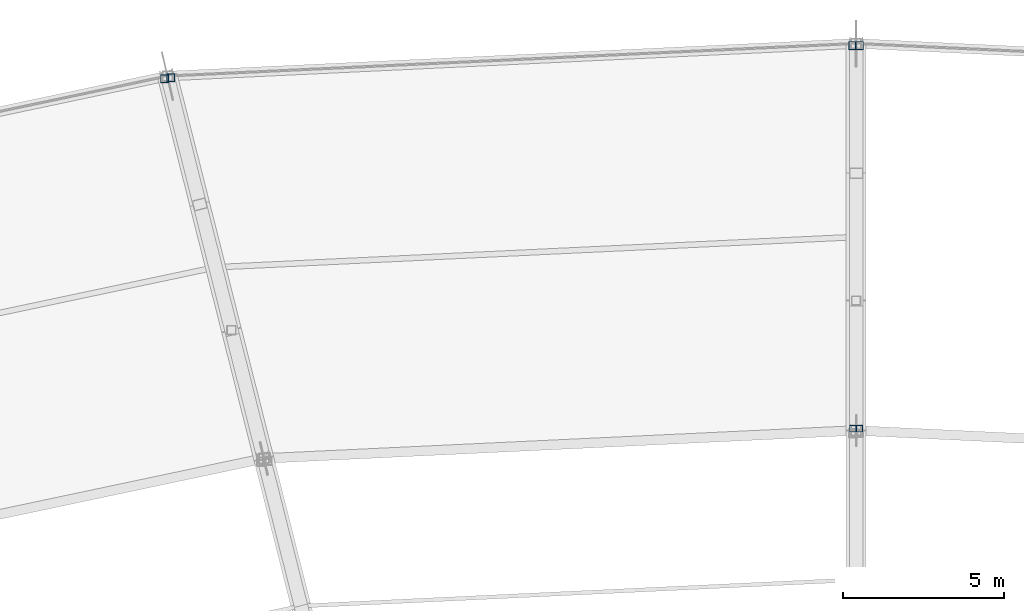
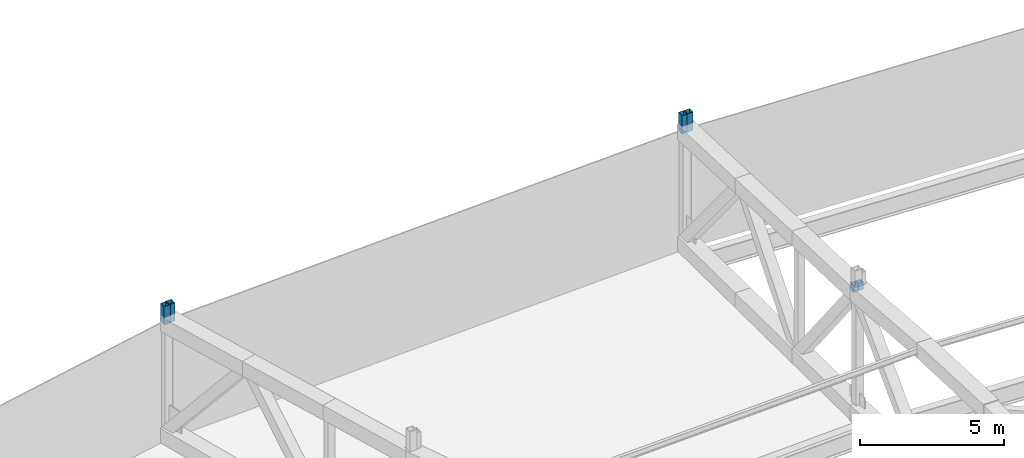
# One storey, part 133 of 162: 6 members.
"""IFC4 building model written with IfcOpenShell, lengths in metres."""

import ifcopenshell
import ifcopenshell.guid

model = None  # the IFC model being written
_history = None  # IfcOwnerHistory: only IFC2X3 demands one
_inside = {}  # id of a spatial element -> (the spatial element, [elements in it])
_under = {}  # id of a project, library or spatial element -> (it, [spatial elements below it])
_declared = {}  # id of a project -> (the project, [libraries it declares])
_typed = {}  # id of a type object -> (the type object, [elements of that type])
_made_of = {}  # id of a material, layer set ... -> (it, [elements and type objects made of it])


def new_model(schema):
    """Start an empty IFC model of exactly this schema.

    Asked for "IFC4X3", IfcOpenShell would pick the latest addendum, in which some entities
    have other attributes; the version numbers below select the first issue.
    IFC2X3 requires an IfcOwnerHistory on every rooted entity: one is made here for all.
    """
    global model, _history
    if schema == "IFC4X3":
        model = ifcopenshell.file(schema_version=(4, 3, 0, 0))
    else:
        model = ifcopenshell.file(schema=schema)
    _inside.clear()
    _under.clear()
    _declared.clear()
    _typed.clear()
    _made_of.clear()
    _history = None
    if model.schema == "IFC2X3":
        org = make("IfcOrganization", Name="unknown")
        user = make(
            "IfcPersonAndOrganization",
            ThePerson=make("IfcPerson", FamilyName="unknown"),
            TheOrganization=org,
        )
        app = make(
            "IfcApplication",
            ApplicationDeveloper=org,
            Version="unknown",
            ApplicationFullName="unknown",
            ApplicationIdentifier="unknown",
        )
        _history = make(
            "IfcOwnerHistory",
            OwningUser=user,
            OwningApplication=app,
            ChangeAction="ADDED",
            CreationDate=0,
        )
    return model


def make(cls, **values):
    """One entity of the class cls with the attributes given. An attribute that is None is left unset."""
    return model.create_entity(
        cls, **{name: value for name, value in values.items() if value is not None}
    )


def rooted(cls, **values):
    """An entity with a GlobalId (a new one), such as an element, a storey or a relation."""
    return make(cls, GlobalId=ifcopenshell.guid.new(), OwnerHistory=_history, **values)


def si_unit(unit_type, name, prefix=None):
    """IfcSIUnit, for example si_unit("LENGTHUNIT", "METRE", prefix="MILLI")."""
    return make("IfcSIUnit", UnitType=unit_type, Prefix=prefix, Name=name)


def assignment(units):
    """IfcUnitAssignment: the units of a project."""
    return None if units is None else make("IfcUnitAssignment", Units=units)


def point(xyz):
    """IfcCartesianPoint."""
    return None if xyz is None else make("IfcCartesianPoint", Coordinates=xyz)


def direction(xyz):
    """IfcDirection."""
    return None if xyz is None else make("IfcDirection", DirectionRatios=xyz)


def frame(location, z_axis=None, x_axis=None):
    """IfcAxis2Placement3D, a coordinate frame: its origin and axes. An axis left out is left unset."""
    return make(
        "IfcAxis2Placement3D",
        Location=point(location),
        Axis=direction(z_axis),
        RefDirection=direction(x_axis),
    )


def frame_2d(location, x_axis=None):
    """IfcAxis2Placement2D, a coordinate frame in the plane: its origin and x axis."""
    return make(
        "IfcAxis2Placement2D", Location=point(location), RefDirection=direction(x_axis)
    )


def origin():
    """The frame at (0, 0, 0) with its axes left unset."""
    return frame((0.0, 0.0, 0.0))


def origin_2d():
    """The frame at (0, 0) in the plane with its x axis left unset."""
    return frame_2d((0.0, 0.0))


def place(relative_to, where):
    """IfcLocalPlacement: puts the frame where relative to a parent placement (None: the world)."""
    return make(
        "IfcLocalPlacement", PlacementRelTo=relative_to, RelativePlacement=where
    )


def context(
    kind, dimensions, precision=None, world=None, true_north=None, identifier=None
):
    """IfcGeometricRepresentationContext, for example the 3D "Model" context."""
    return make(
        "IfcGeometricRepresentationContext",
        ContextIdentifier=identifier,
        ContextType=kind,
        CoordinateSpaceDimension=dimensions,
        Precision=precision,
        WorldCoordinateSystem=world,
        TrueNorth=true_north,
    )


def subcontext(parent, identifier, kind, view, scale=None):
    """IfcGeometricRepresentationSubContext, for example "Body" below "Model"."""
    return make(
        "IfcGeometricRepresentationSubContext",
        ContextIdentifier=identifier,
        ContextType=kind,
        ParentContext=parent,
        TargetScale=scale,
        TargetView=view,
    )


def project(units=None, contexts=None):
    """IfcProject with its units and contexts."""
    return rooted(
        "IfcProject",
        Name="project",
        RepresentationContexts=contexts,
        UnitsInContext=assignment(units),
    )


def spatial(cls, under=None, at=None, **own):
    """A site, building, storey or space (cls), placed at a placement, below another one or the project."""
    s = rooted(cls, ObjectPlacement=at, **own)
    if under is not None:
        _under.setdefault(under.id(), (under, []))[1].append(s)
    return s


def profile(cls, at=None, kind="AREA", **sizes):
    """A parametric profile (cls). Its sizes go by their IFC names, for example OverallWidth=200.0."""
    return make(cls, ProfileType=kind, Position=at, **sizes)


def hollow_rectangle(**sizes):
    """IfcRectangleHollowProfileDef."""
    return profile("IfcRectangleHollowProfileDef", **sizes)


def extrude(swept, where, along, depth):
    """IfcExtrudedAreaSolid: the profile swept, set in the frame where, extruded along a direction by depth."""
    return make(
        "IfcExtrudedAreaSolid",
        SweptArea=swept,
        Position=where,
        ExtrudedDirection=direction(along),
        Depth=depth,
    )


def shape(context_of_items, identifier, shape_type, items):
    """IfcShapeRepresentation: the items that make up one representation, for example the "Body"."""
    return make(
        "IfcShapeRepresentation",
        ContextOfItems=context_of_items,
        RepresentationIdentifier=identifier,
        RepresentationType=shape_type,
        Items=items,
    )


def material(Name=None, Category=None):
    """IfcMaterial."""
    return make("IfcMaterial", Name=Name, Category=Category)


def material_profile(
    of_material, cross_section, Name=None, Category=None, Priority=None
):
    """IfcMaterialProfile: a cross section and its material."""
    return make(
        "IfcMaterialProfile",
        Name=Name,
        Material=of_material,
        Profile=cross_section,
        Priority=Priority,
        Category=Category,
    )


def profile_set(profiles, Name=None, composite=None):
    """IfcMaterialProfileSet."""
    return make(
        "IfcMaterialProfileSet",
        Name=Name,
        MaterialProfiles=profiles,
        CompositeProfile=composite,
    )


def made_of(thing, what):
    """Note that an element or type object is made of a material, layer set ...; save() writes the relation."""
    if what is not None:
        _made_of.setdefault(what.id(), (what, []))[1].append(thing)
    return thing


def type_object(cls, material=None, **own):
    """A type object (cls), such as IfcWallType, which elements share."""
    return made_of(rooted(cls, **own), material)


def element(
    cls,
    number,
    at=None,
    inside=None,
    cuts=None,
    type_object=None,
    material=None,
    context=None,
    identifier="Body",
    shape_type=None,
    held_by="IfcProductDefinitionShape",
    body=None,
    shapes=None,
    **own,
):
    """One element of the class cls, such as IfcWall. Its Tag is "e" and its number.

    at: its placement. inside: the storey or other place that contains it. cuts: it is an
    opening in that element (IfcRelVoidsElement). A single representation is given by context,
    identifier, shape_type and body (its items); several are given by shapes. held_by: the class
    of the entity that holds the representations. save() writes the other relations.
    """
    e = rooted(cls, Tag="e%d" % number, ObjectPlacement=at, **own)
    if body is not None:
        shapes = [shape(context, identifier, shape_type, body)]
    if shapes is not None:
        e.Representation = make(held_by, Representations=shapes)
    if inside is not None:
        _inside.setdefault(inside.id(), (inside, []))[1].append(e)
    if cuts is not None:
        rooted(
            "IfcRelVoidsElement", RelatingBuildingElement=cuts, RelatedOpeningElement=e
        )
    if type_object is not None:
        _typed.setdefault(type_object.id(), (type_object, []))[1].append(e)
    return made_of(e, material)


def aggregate(whole, parts):
    """IfcRelAggregates: a whole, such as a stair, and the parts it consists of."""
    return rooted("IfcRelAggregates", RelatingObject=whole, RelatedObjects=parts)


def save(model, path):
    """Write the relations noted so far, then the file.

    IfcRelAggregates (storeys below a building ...), IfcRelContainedInSpatialStructure (elements
    in a storey), IfcRelDefinesByType, IfcRelAssociatesMaterial and IfcRelDeclares: one each for
    every whole, place, type object, material and project.
    """
    for whole, parts in _under.values():
        aggregate(whole, parts)
    for where, things in _inside.values():
        rooted(
            "IfcRelContainedInSpatialStructure",
            RelatedElements=things,
            RelatingStructure=where,
        )
    for kind, things in _typed.values():
        rooted("IfcRelDefinesByType", RelatedObjects=things, RelatingType=kind)
    for what, things in _made_of.values():
        rooted("IfcRelAssociatesMaterial", RelatedObjects=things, RelatingMaterial=what)
    for by, libraries in _declared.values():
        rooted("IfcRelDeclares", RelatingContext=by, RelatedDefinitions=libraries)
    model.write(path)


model = new_model("IFC4")

# Units and contexts
model_context = context("Model", 3, precision=1e-05, world=origin(), true_north=direction((0.0, 1.0)))
body_context = subcontext(model_context, "Body", "Model", "MODEL_VIEW")
ifc_project = project(units=[si_unit("LENGTHUNIT", "METRE"), si_unit("AREAUNIT", "SQUARE_METRE"), si_unit("VOLUMEUNIT", "CUBIC_METRE"), si_unit("PLANEANGLEUNIT", "RADIAN"), si_unit("MASSUNIT", "GRAM", prefix="KILO")], contexts=[model_context])

# Site, building, storey
site_placement = place(None, origin())
site = spatial("IfcSite", under=ifc_project, at=site_placement, CompositionType="ELEMENT")
building_placement = place(site_placement, origin())
building = spatial("IfcBuilding", under=site, at=building_placement, Name="Kazemori Nagisa Stadium", CompositionType="ELEMENT")
storey_placement = place(building_placement, frame((0.0, 0.0, 36.719970703125)))
storey = spatial("IfcBuildingStorey", under=building, at=storey_placement, Name="RF", CompositionType="ELEMENT", Elevation=36.719970703125)

# Members
ifc_material = material(Name="Steel STKR490", Category="steel")
ifc_material_profile_1 = material_profile(ifc_material, hollow_rectangle(XDim=0.25, YDim=0.25, WallThickness=0.011962890625, at=origin_2d()), Name="SHS-250x250x12")
ifc_profile_set_1 = profile_set([ifc_material_profile_1], Name="Steel STKR490")
member_type_1 = type_object("IfcMemberType", Name="Member_ST-SHS250", PredefinedType="STUD", material=ifc_profile_set_1)
for number, where, z_axis, x_axis, name in (
    (1, (123.1005859375, 187.9345703125, 5.10009765625), (0.0, 0.0, 1.0), (1.0, 0.0, 0.0), "Canopy bearing stool B07-outer-2"),
    (2, (122.8994140625, 187.9345703125, 5.10009765625), (0.0, 0.0, 1.0), (1.0, 0.0, 0.0), "Canopy bearing stool B08-outer-1"),
    (3, (101.6806640625, 186.93505859375, 5.10009765625), (0.0, 0.0, 1.0), (1.0, 0.0, 0.0), "Canopy bearing stool B08-outer-2"),
    (4, (101.485595703125, 186.904052734375, 5.10009765625), (0.0, 0.0, 1.0), (1.0, 0.0, 0.0), "Canopy bearing stool B09-outer-1"),
):
    element("IfcMember", number, at=place(storey_placement, frame(where, z_axis=z_axis, x_axis=x_axis)), inside=storey, type_object=member_type_1, Name=name, PredefinedType="STUD", context=body_context, shape_type="SweptSolid", body=[
        extrude(hollow_rectangle(XDim=0.25, YDim=0.25, WallThickness=0.011962890625, at=origin_2d()), origin(), (0.0, 0.0, 1.0), 0.77490234375),
    ])
ifc_material_profile_2 = material_profile(ifc_material, hollow_rectangle(XDim=0.199951171875, YDim=0.199951171875, WallThickness=0.009033203125, at=origin_2d()), Name="SHS-200x200x9")
ifc_profile_set_2 = profile_set([ifc_material_profile_2], Name="Steel STKR490")
member_type_2 = type_object("IfcMemberType", Name="Member_TS-SHS200", PredefinedType="STRUT", material=ifc_profile_set_2)
for number, where, z_axis, x_axis, name in (
    (5, (123.104736328125, 176.018310546875, 5.56005859375), (0.0, 0.0, 1.0), (1.0, 0.0, 0.0), "Canopy bearing stool B07-outer-3"),
    (6, (122.895263671875, 176.018310546875, 5.56005859375), (0.0, 0.0, 1.0), (1.0, 0.0, 0.0), "Canopy bearing stool B08-outer-4"),
):
    element("IfcMember", number, at=place(storey_placement, frame(where, z_axis=z_axis, x_axis=x_axis)), inside=storey, type_object=member_type_2, Name=name, PredefinedType="STRUT", context=body_context, shape_type="SweptSolid", body=[
        extrude(hollow_rectangle(XDim=0.199951171875, YDim=0.199951171875, WallThickness=0.009033203125, at=origin_2d()), origin(), (0.0, 0.0, 1.0), 0.31494140625),
    ])

save(model, "model.ifc")
